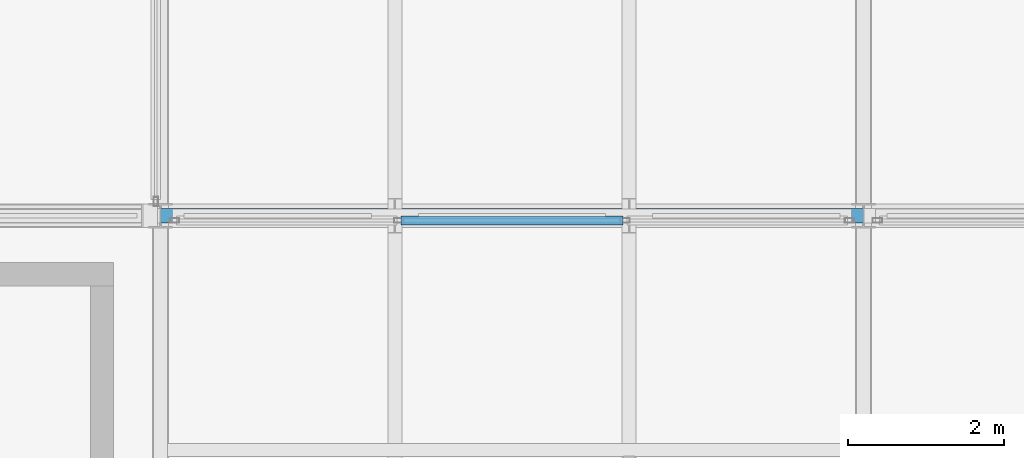
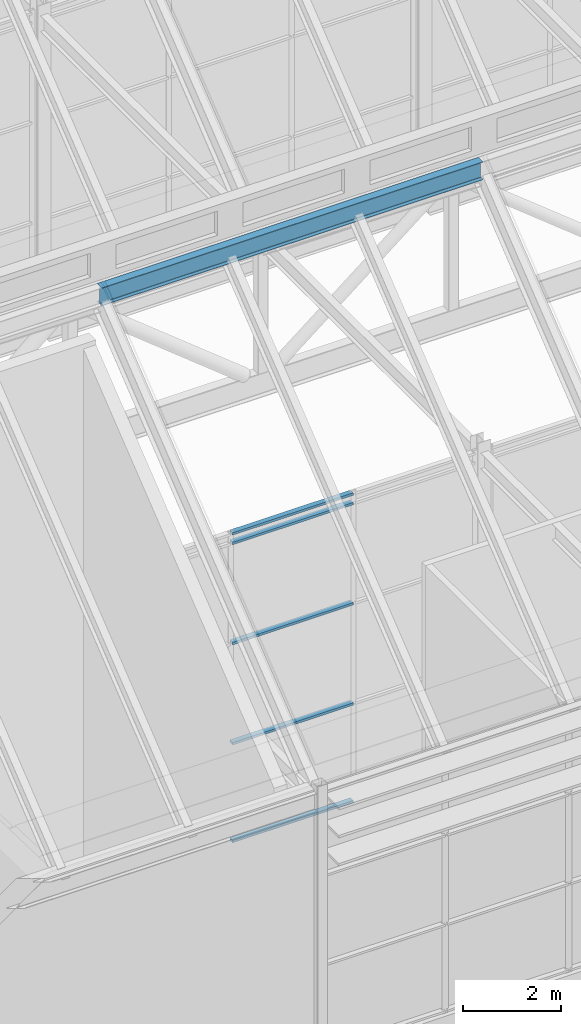
# One storey, part 20 of 144: 5 members, 1 beam, 1 element without a shape of its own.
"""IFC4 building model written with IfcOpenShell, lengths in metres."""

from ifc_helpers import new_model, si_unit, direction, frame, origin, origin_2d, place, context, subcontext, project, spatial, hollow_rectangle, i_section, extrude, material, layer, layer_set, material_profile, profile_set, type_object, element, aggregate, save


model = new_model("IFC4")

# Units and contexts
model_context = context("Model", 3, precision=1e-05, world=origin(), true_north=direction((0.0, 1.0)))
body_context = subcontext(model_context, "Body", "Model", "MODEL_VIEW")
ifc_project = project(units=[si_unit("LENGTHUNIT", "METRE"), si_unit("AREAUNIT", "SQUARE_METRE"), si_unit("VOLUMEUNIT", "CUBIC_METRE"), si_unit("PLANEANGLEUNIT", "RADIAN"), si_unit("MASSUNIT", "GRAM", prefix="KILO")], contexts=[model_context])

# Site, building, storey
site_placement = place(None, origin())
site = spatial("IfcSite", under=ifc_project, at=site_placement, CompositionType="ELEMENT")
building_placement = place(site_placement, origin())
building = spatial("IfcBuilding", under=site, at=building_placement, Name="Shorebreak Coast Museum", CompositionType="ELEMENT")
storey_placement = place(building_placement, frame((0.0, 0.0, 36.0)))
storey = spatial("IfcBuildingStorey", under=building, at=storey_placement, Name="L06", CompositionType="ELEMENT", Elevation=36.0)

# Beam
ifc_material_1 = material(Name="Steel Grade 300", Category="steel")
ifc_material_profile_1 = material_profile(ifc_material_1, i_section(OverallWidth=0.18994140625, OverallDepth=0.453857421875, WebThickness=0.008544921875, FlangeThickness=0.0126953125, FilletRadius=0.011474609375, at=origin_2d()), Name="460UB67.1")
ifc_profile_set_1 = profile_set([ifc_material_profile_1], Name="Steel Grade 300")
beam_type = type_object("IfcBeamType", Name="Fold ridge beam 460UB67.1", PredefinedType="BEAM", material=ifc_profile_set_1)
beam_placement = place(storey_placement, frame((63.0, 63.0, 14.717041015625), z_axis=(1.0, 0.0, 0.0), x_axis=(0.0, 1.0, 0.0)))
element("IfcBeam", 1, at=beam_placement, inside=storey, type_object=beam_type, Name="Fold ridge beam FOLD-X line H bay 8H", PredefinedType="BEAM", context=body_context, shape_type="SweptSolid", body=[
    extrude(i_section(OverallWidth=0.18994140625, OverallDepth=0.453857421875, WebThickness=0.008544921875, FlangeThickness=0.0126953125, FilletRadius=0.011474609375, at=origin_2d()), origin(), (0.0, 0.0, 1.0), 9.0),
])

# Curtain wall, members
ifc_material_2 = material(Name="Aluminium", Category="aluminium")
ifc_layer = layer(ifc_material_2, 0.1201171875)
ifc_layer_set = layer_set([ifc_layer], Name="Aluminium")
curtain_wall_type = type_object("IfcCurtainWallType", Name="Atrium fire screen", PredefinedType="NOTDEFINED", material=ifc_layer_set)
curtain_wall_placement = place(storey_placement, origin())
curtain_wall = element("IfcCurtainWall", 2, at=curtain_wall_placement, inside=storey, type_object=curtain_wall_type, Name="Atrium screen L06 S 79", PredefinedType="NOTDEFINED")
ifc_material_3 = material(Name="Aluminium", Category="aluminium")
ifc_material_profile_2 = material_profile(ifc_material_3, hollow_rectangle(XDim=0.1201171875, YDim=0.06005859375, WallThickness=0.00341796875, at=origin_2d()), Name="AL 60x120 RHS")
ifc_profile_set_2 = profile_set([ifc_material_profile_2], Name="Aluminium")
member_type = type_object("IfcMemberType", Name="Screen transom 120 x 50", PredefinedType="USERDEFINED", material=ifc_profile_set_2)
member_1_placement = place(storey_placement, frame((66.076171875, 62.93994140625, 0.06005859375), z_axis=(1.0, 0.0, 0.0), x_axis=(0.0, 1.0, 0.0)))
member_1 = element("IfcMember", 3, at=member_1_placement, type_object=member_type, Name="CW5 transom 2.1", ObjectType="TRANSOM", PredefinedType="USERDEFINED", context=body_context, shape_type="SweptSolid", body=[
    extrude(hollow_rectangle(XDim=0.1201171875, YDim=0.06005859375, WallThickness=0.00341796875, at=origin_2d()), origin(), (0.0, 0.0, 1.0), 2.84765625),
])
member_2_placement = place(storey_placement, frame((66.076171875, 62.93994140625, 2.5), z_axis=(1.0, 0.0, 0.0), x_axis=(0.0, 1.0, 0.0)))
member_2 = element("IfcMember", 4, at=member_2_placement, type_object=member_type, Name="CW5 transom 2.2", ObjectType="TRANSOM", PredefinedType="USERDEFINED", context=body_context, shape_type="SweptSolid", body=[
    extrude(hollow_rectangle(XDim=0.1201171875, YDim=0.06005859375, WallThickness=0.00341796875, at=origin_2d()), origin(), (0.0, 0.0, 1.0), 2.84765625),
])
member_3_placement = place(storey_placement, frame((66.076171875, 62.93994140625, 5.0), z_axis=(1.0, 0.0, 0.0), x_axis=(0.0, 1.0, 0.0)))
member_3 = element("IfcMember", 5, at=member_3_placement, type_object=member_type, Name="CW5 transom 2.3", ObjectType="TRANSOM", PredefinedType="USERDEFINED", context=body_context, shape_type="SweptSolid", body=[
    extrude(hollow_rectangle(XDim=0.1201171875, YDim=0.06005859375, WallThickness=0.00341796875, at=origin_2d()), origin(), (0.0, 0.0, 1.0), 2.84765625),
])
member_4_placement = place(storey_placement, frame((66.076171875, 62.93994140625, 7.5), z_axis=(1.0, 0.0, 0.0), x_axis=(0.0, 1.0, 0.0)))
member_4 = element("IfcMember", 6, at=member_4_placement, type_object=member_type, Name="CW5 transom 2.4", ObjectType="TRANSOM", PredefinedType="USERDEFINED", context=body_context, shape_type="SweptSolid", body=[
    extrude(hollow_rectangle(XDim=0.1201171875, YDim=0.06005859375, WallThickness=0.00341796875, at=origin_2d()), origin(), (0.0, 0.0, 1.0), 2.84765625),
])
member_5_placement = place(storey_placement, frame((66.076171875, 62.93994140625, 7.739990234375), z_axis=(1.0, 0.0, 0.0), x_axis=(0.0, 1.0, 0.0)))
member_5 = element("IfcMember", 7, at=member_5_placement, type_object=member_type, Name="CW5 transom 2.5", ObjectType="TRANSOM", PredefinedType="USERDEFINED", context=body_context, shape_type="SweptSolid", body=[
    extrude(hollow_rectangle(XDim=0.1201171875, YDim=0.06005859375, WallThickness=0.00341796875, at=origin_2d()), origin(), (0.0, 0.0, 1.0), 2.84765625),
])
aggregate(curtain_wall, [member_1, member_2, member_3, member_4, member_5])

save(model, "model.ifc")
